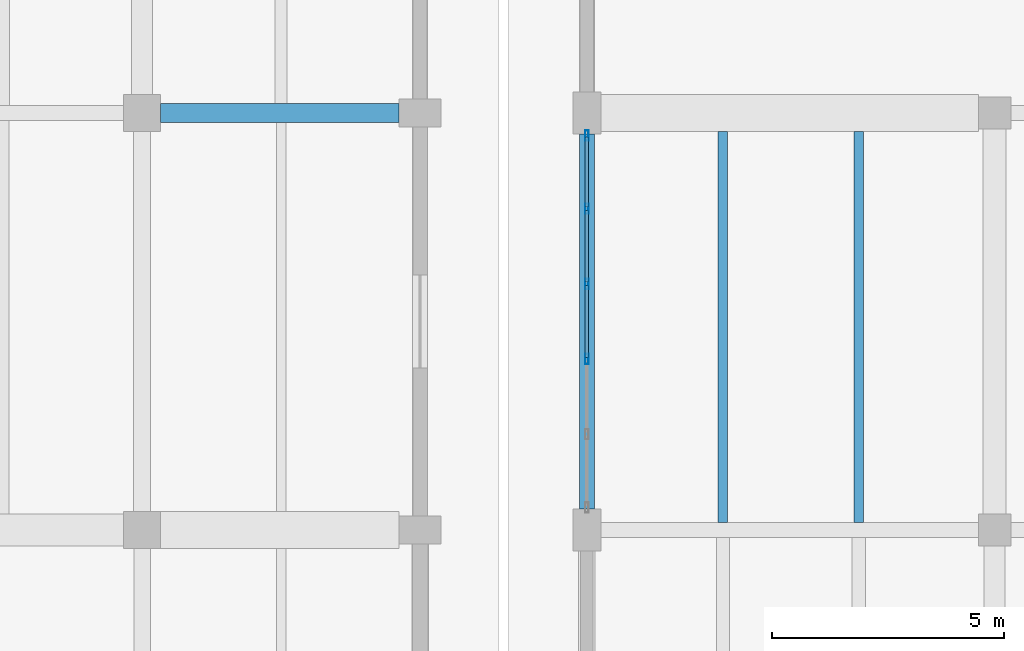
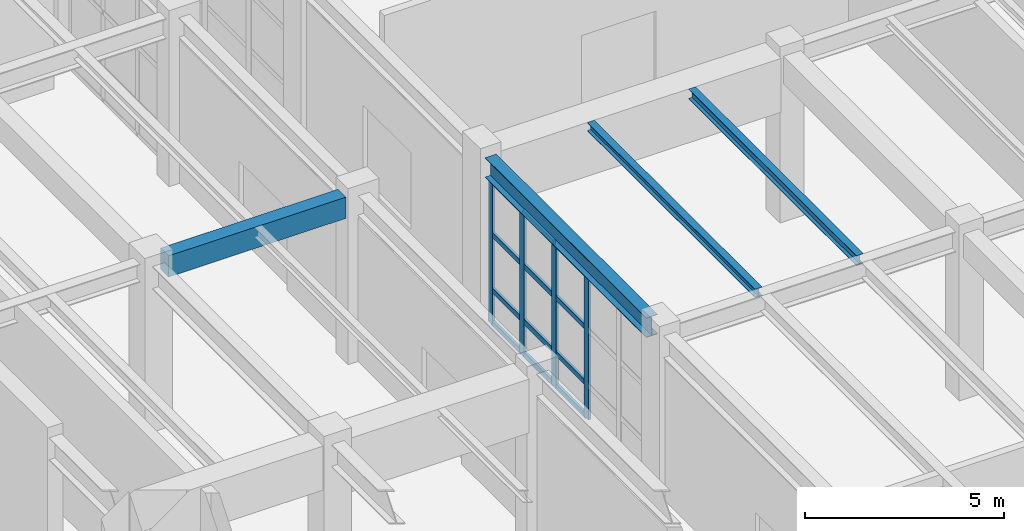
# One storey, part 28 of 91: 16 members, 4 beams, 1 element without a shape of its own.
"""IFC4 building model written with IfcOpenShell, lengths in metres."""

from ifc_helpers import new_model, si_unit, direction, frame, origin, origin_2d, place, context, subcontext, project, spatial, rectangle, hollow_rectangle, i_section, extrude, material, layer, layer_set, material_profile, profile_set, type_object, element, aggregate, save


model = new_model("IFC4")

# Units and contexts
model_context = context("Model", 3, precision=1e-05, world=origin(), true_north=direction((0.0, 1.0)))
body_context = subcontext(model_context, "Body", "Model", "MODEL_VIEW")
ifc_project = project(units=[si_unit("LENGTHUNIT", "METRE"), si_unit("AREAUNIT", "SQUARE_METRE"), si_unit("VOLUMEUNIT", "CUBIC_METRE"), si_unit("PLANEANGLEUNIT", "RADIAN"), si_unit("MASSUNIT", "GRAM", prefix="KILO")], contexts=[model_context])

# Site, building, storey
site_placement = place(None, origin())
site = spatial("IfcSite", under=ifc_project, at=site_placement, CompositionType="ELEMENT")
building_placement = place(site_placement, origin())
building = spatial("IfcBuilding", under=site, at=building_placement, Name="Vaelkrest Opera House", CompositionType="ELEMENT")
storey_placement = place(building_placement, origin())
storey = spatial("IfcBuildingStorey", under=building, at=storey_placement, Name="L00", CompositionType="ELEMENT", Elevation=0.0)

# Beam
ifc_material_1 = material(Name="Concrete C50/60", Category="concrete")
ifc_material_profile_1 = material_profile(ifc_material_1, rectangle(XDim=0.39990234375, YDim=0.64990234375, at=origin_2d()), Name="RCB400X650")
ifc_profile_set_1 = profile_set([ifc_material_profile_1], Name="Concrete C50/60")
beam_type_1 = type_object("IfcBeamType", Name="B01", PredefinedType="BEAM", material=ifc_profile_set_1)
beam_1_placement = place(storey_placement, frame((24.39990234375, 1.199951171875, 4.7548828125), z_axis=(1.0, 0.0, 0.0), x_axis=(0.0, 1.0, 0.0)))
element("IfcBeam", 1, at=beam_1_placement, inside=storey, type_object=beam_type_1, Name="Beam BM-V1-L00-0125", PredefinedType="BEAM", context=body_context, shape_type="SweptSolid", body=[
    extrude(rectangle(XDim=0.39990234375, YDim=0.64990234375, at=origin_2d()), origin(), (0.0, 0.0, 1.0), 5.150146484375),
])

# Curtain wall, members
ifc_material_2 = material(Name="Dark bronze anodized aluminium", Category="aluminium")
ifc_layer = layer(ifc_material_2, 0.199951171875)
ifc_layer_set = layer_set([ifc_layer], Name="Dark bronze anodized aluminium")
curtain_wall_type = type_object("IfcCurtainWallType", Name="CW03", PredefinedType="NOTDEFINED", material=ifc_layer_set)
curtain_wall_placement = place(storey_placement, origin())
curtain_wall = element("IfcCurtainWall", 2, at=curtain_wall_placement, inside=storey, type_object=curtain_wall_type, Name="Curtain wall CW-L00-149", PredefinedType="NOTDEFINED")
ifc_material_profile_2 = material_profile(ifc_material_2, hollow_rectangle(XDim=0.074951171875, YDim=0.219970703125, WallThickness=0.00439453125, at=origin_2d()), Name="CWM75X220")
ifc_profile_set_2 = profile_set([ifc_material_profile_2], Name="Dark bronze anodized aluminium")
member_type_1 = type_object("IfcMemberType", Name="CWM03", PredefinedType="MULLION", material=ifc_profile_set_2)
member_1_placement = place(storey_placement, frame((33.60009765625, -4.1103515625, 0.0), z_axis=(0.0, 0.0, 1.0), x_axis=(-1.0, 0.0, 0.0)))
member_1 = element("IfcMember", 3, at=member_1_placement, type_object=member_type_1, Name="CW03 mullion 3", PredefinedType="MULLION", context=body_context, shape_type="SweptSolid", body=[
    extrude(hollow_rectangle(XDim=0.074951171875, YDim=0.219970703125, WallThickness=0.00439453125, at=origin_2d()), origin(), (0.0, 0.0, 1.0), 4.404052734375),
])
member_2_placement = place(storey_placement, frame((33.60009765625, -2.489501953125, 0.0), z_axis=(0.0, 0.0, 1.0), x_axis=(-1.0, 0.0, 0.0)))
member_2 = element("IfcMember", 4, at=member_2_placement, type_object=member_type_1, Name="CW03 mullion 4", PredefinedType="MULLION", context=body_context, shape_type="SweptSolid", body=[
    extrude(hollow_rectangle(XDim=0.074951171875, YDim=0.219970703125, WallThickness=0.00439453125, at=origin_2d()), origin(), (0.0, 0.0, 1.0), 4.404052734375),
])
member_3_placement = place(storey_placement, frame((33.60009765625, -0.868896484375, 0.0), z_axis=(0.0, 0.0, 1.0), x_axis=(-1.0, 0.0, 0.0)))
member_3 = element("IfcMember", 5, at=member_3_placement, type_object=member_type_1, Name="CW03 mullion 5", PredefinedType="MULLION", context=body_context, shape_type="SweptSolid", body=[
    extrude(hollow_rectangle(XDim=0.074951171875, YDim=0.219970703125, WallThickness=0.00439453125, at=origin_2d()), origin(), (0.0, 0.0, 1.0), 4.404052734375),
])
member_4_placement = place(storey_placement, frame((33.60009765625, 0.714599609375, 0.0), z_axis=(0.0, 0.0, 1.0), x_axis=(-1.0, 0.0, 0.0)))
member_4 = element("IfcMember", 6, at=member_4_placement, type_object=member_type_1, Name="CW03 mullion 6", PredefinedType="MULLION", context=body_context, shape_type="SweptSolid", body=[
    extrude(hollow_rectangle(XDim=0.074951171875, YDim=0.219970703125, WallThickness=0.00439453125, at=origin_2d()), origin(), (0.0, 0.0, 1.0), 4.404052734375),
])
ifc_material_profile_3 = material_profile(ifc_material_2, hollow_rectangle(XDim=0.074951171875, YDim=0.159912109375, WallThickness=0.00439453125, at=origin_2d()), Name="CWT75X160")
ifc_profile_set_3 = profile_set([ifc_material_profile_3], Name="Dark bronze anodized aluminium")
member_type_2 = type_object("IfcMemberType", Name="CWT03", PredefinedType="USERDEFINED", material=ifc_profile_set_3)
member_5_placement = place(storey_placement, frame((33.60009765625, -4.072998046875, 0.03759765625), z_axis=(0.0, 1.0, 0.0), x_axis=(-1.0, 0.0, 0.0)))
member_5 = element("IfcMember", 7, at=member_5_placement, type_object=member_type_2, Name="CW03 transom 3.1", ObjectType="TRANSOM", PredefinedType="USERDEFINED", context=body_context, shape_type="SweptSolid", body=[
    extrude(hollow_rectangle(XDim=0.074951171875, YDim=0.159912109375, WallThickness=0.00439453125, at=origin_2d()), origin(), (0.0, 0.0, 1.0), 1.5458984375),
])
member_6_placement = place(storey_placement, frame((33.60009765625, -4.072998046875, 1.050048828125), z_axis=(0.0, 1.0, 0.0), x_axis=(-1.0, 0.0, 0.0)))
member_6 = element("IfcMember", 8, at=member_6_placement, type_object=member_type_2, Name="CW03 transom 3.2", ObjectType="TRANSOM", PredefinedType="USERDEFINED", context=body_context, shape_type="SweptSolid", body=[
    extrude(hollow_rectangle(XDim=0.074951171875, YDim=0.159912109375, WallThickness=0.00439453125, at=origin_2d()), origin(), (0.0, 0.0, 1.0), 1.5458984375),
])
member_7_placement = place(storey_placement, frame((33.60009765625, -4.072998046875, 2.75), z_axis=(0.0, 1.0, 0.0), x_axis=(-1.0, 0.0, 0.0)))
member_7 = element("IfcMember", 9, at=member_7_placement, type_object=member_type_2, Name="CW03 transom 3.3", ObjectType="TRANSOM", PredefinedType="USERDEFINED", context=body_context, shape_type="SweptSolid", body=[
    extrude(hollow_rectangle(XDim=0.074951171875, YDim=0.159912109375, WallThickness=0.00439453125, at=origin_2d()), origin(), (0.0, 0.0, 1.0), 1.5458984375),
])
member_8_placement = place(storey_placement, frame((33.60009765625, -4.072998046875, 4.366455078125), z_axis=(0.0, 1.0, 0.0), x_axis=(-1.0, 0.0, 0.0)))
member_8 = element("IfcMember", 10, at=member_8_placement, type_object=member_type_2, Name="CW03 transom 3.4", ObjectType="TRANSOM", PredefinedType="USERDEFINED", context=body_context, shape_type="SweptSolid", body=[
    extrude(hollow_rectangle(XDim=0.074951171875, YDim=0.159912109375, WallThickness=0.00439453125, at=origin_2d()), origin(), (0.0, 0.0, 1.0), 1.5458984375),
])
member_9_placement = place(storey_placement, frame((33.60009765625, -2.4521484375, 0.03759765625), z_axis=(0.0, 1.0, 0.0), x_axis=(-1.0, 0.0, 0.0)))
member_9 = element("IfcMember", 11, at=member_9_placement, type_object=member_type_2, Name="CW03 transom 4.1", ObjectType="TRANSOM", PredefinedType="USERDEFINED", context=body_context, shape_type="SweptSolid", body=[
    extrude(hollow_rectangle(XDim=0.074951171875, YDim=0.159912109375, WallThickness=0.00439453125, at=origin_2d()), origin(), (0.0, 0.0, 1.0), 1.5458984375),
])
member_10_placement = place(storey_placement, frame((33.60009765625, -2.4521484375, 1.050048828125), z_axis=(0.0, 1.0, 0.0), x_axis=(-1.0, 0.0, 0.0)))
member_10 = element("IfcMember", 12, at=member_10_placement, type_object=member_type_2, Name="CW03 transom 4.2", ObjectType="TRANSOM", PredefinedType="USERDEFINED", context=body_context, shape_type="SweptSolid", body=[
    extrude(hollow_rectangle(XDim=0.074951171875, YDim=0.159912109375, WallThickness=0.00439453125, at=origin_2d()), origin(), (0.0, 0.0, 1.0), 1.5458984375),
])
member_11_placement = place(storey_placement, frame((33.60009765625, -2.4521484375, 2.75), z_axis=(0.0, 1.0, 0.0), x_axis=(-1.0, 0.0, 0.0)))
member_11 = element("IfcMember", 13, at=member_11_placement, type_object=member_type_2, Name="CW03 transom 4.3", ObjectType="TRANSOM", PredefinedType="USERDEFINED", context=body_context, shape_type="SweptSolid", body=[
    extrude(hollow_rectangle(XDim=0.074951171875, YDim=0.159912109375, WallThickness=0.00439453125, at=origin_2d()), origin(), (0.0, 0.0, 1.0), 1.5458984375),
])
member_12_placement = place(storey_placement, frame((33.60009765625, -2.4521484375, 4.366455078125), z_axis=(0.0, 1.0, 0.0), x_axis=(-1.0, 0.0, 0.0)))
member_12 = element("IfcMember", 14, at=member_12_placement, type_object=member_type_2, Name="CW03 transom 4.4", ObjectType="TRANSOM", PredefinedType="USERDEFINED", context=body_context, shape_type="SweptSolid", body=[
    extrude(hollow_rectangle(XDim=0.074951171875, YDim=0.159912109375, WallThickness=0.00439453125, at=origin_2d()), origin(), (0.0, 0.0, 1.0), 1.5458984375),
])
member_13_placement = place(storey_placement, frame((33.60009765625, -0.831298828125, 0.03759765625), z_axis=(0.0, 1.0, 0.0), x_axis=(-1.0, 0.0, 0.0)))
member_13 = element("IfcMember", 15, at=member_13_placement, type_object=member_type_2, Name="CW03 transom 5.1", ObjectType="TRANSOM", PredefinedType="USERDEFINED", context=body_context, shape_type="SweptSolid", body=[
    extrude(hollow_rectangle(XDim=0.074951171875, YDim=0.159912109375, WallThickness=0.00439453125, at=origin_2d()), origin(), (0.0, 0.0, 1.0), 1.50830078125),
])
member_14_placement = place(storey_placement, frame((33.60009765625, -0.831298828125, 1.050048828125), z_axis=(0.0, 1.0, 0.0), x_axis=(-1.0, 0.0, 0.0)))
member_14 = element("IfcMember", 16, at=member_14_placement, type_object=member_type_2, Name="CW03 transom 5.2", ObjectType="TRANSOM", PredefinedType="USERDEFINED", context=body_context, shape_type="SweptSolid", body=[
    extrude(hollow_rectangle(XDim=0.074951171875, YDim=0.159912109375, WallThickness=0.00439453125, at=origin_2d()), origin(), (0.0, 0.0, 1.0), 1.50830078125),
])
member_15_placement = place(storey_placement, frame((33.60009765625, -0.831298828125, 2.75), z_axis=(0.0, 1.0, 0.0), x_axis=(-1.0, 0.0, 0.0)))
member_15 = element("IfcMember", 17, at=member_15_placement, type_object=member_type_2, Name="CW03 transom 5.3", ObjectType="TRANSOM", PredefinedType="USERDEFINED", context=body_context, shape_type="SweptSolid", body=[
    extrude(hollow_rectangle(XDim=0.074951171875, YDim=0.159912109375, WallThickness=0.00439453125, at=origin_2d()), origin(), (0.0, 0.0, 1.0), 1.50830078125),
])
member_16_placement = place(storey_placement, frame((33.60009765625, -0.831298828125, 4.366455078125), z_axis=(0.0, 1.0, 0.0), x_axis=(-1.0, 0.0, 0.0)))
member_16 = element("IfcMember", 18, at=member_16_placement, type_object=member_type_2, Name="CW03 transom 5.4", ObjectType="TRANSOM", PredefinedType="USERDEFINED", context=body_context, shape_type="SweptSolid", body=[
    extrude(hollow_rectangle(XDim=0.074951171875, YDim=0.159912109375, WallThickness=0.00439453125, at=origin_2d()), origin(), (0.0, 0.0, 1.0), 1.50830078125),
])
aggregate(curtain_wall, [member_1, member_2, member_3, member_4, member_5, member_6, member_7, member_8, member_9, member_10, member_11, member_12, member_13, member_14, member_15, member_16])

# Beams
ifc_material_3 = material(Name="Steel A992 Gr50", Category="steel")
ifc_material_profile_4 = material_profile(ifc_material_3, i_section(OverallWidth=0.2041015625, OverallDepth=0.257080078125, WebThickness=0.0087890625, FlangeThickness=0.015625, at=origin_2d()), Name="W10X45")
ifc_profile_set_4 = profile_set([ifc_material_profile_4], Name="Steel A992 Gr50")
beam_type_2 = type_object("IfcBeamType", Name="J01", PredefinedType="JOIST", material=ifc_profile_set_4)
beam_2_placement = place(storey_placement, frame((36.532958984375, -7.635986328125, 4.951416015625), z_axis=(0.0, 1.0, 0.0), x_axis=(-1.0, 0.0, 0.0)))
element("IfcBeam", 19, at=beam_2_placement, inside=storey, type_object=beam_type_2, Name="Floor joist JST-V4-L00-2051", PredefinedType="JOIST", context=body_context, shape_type="SweptSolid", body=[
    extrude(i_section(OverallWidth=0.2041015625, OverallDepth=0.257080078125, WebThickness=0.0087890625, FlangeThickness=0.015625, at=origin_2d()), origin(), (0.0, 0.0, 1.0), 8.43603515625),
])
ifc_material_profile_5 = material_profile(ifc_material_3, i_section(OverallWidth=0.202880859375, OverallDepth=0.302978515625, WebThickness=0.007568359375, FlangeThickness=0.01318359375, at=origin_2d()), Name="W12X40")
ifc_profile_set_5 = profile_set([ifc_material_profile_5], Name="Steel A992 Gr50")
beam_type_3 = type_object("IfcBeamType", Name="J02", PredefinedType="JOIST", material=ifc_profile_set_5)
beam_3_placement = place(storey_placement, frame((39.467041015625, -7.635986328125, 4.928466796875), z_axis=(0.0, 1.0, 0.0), x_axis=(-1.0, 0.0, 0.0)))
element("IfcBeam", 20, at=beam_3_placement, inside=storey, type_object=beam_type_3, Name="Floor joist JST-V4-L00-2052", PredefinedType="JOIST", context=body_context, shape_type="SweptSolid", body=[
    extrude(i_section(OverallWidth=0.202880859375, OverallDepth=0.302978515625, WebThickness=0.007568359375, FlangeThickness=0.01318359375, at=origin_2d()), origin(), (0.0, 0.0, 1.0), 8.43603515625),
])
ifc_material_profile_6 = material_profile(ifc_material_3, i_section(OverallWidth=0.323974609375, OverallDepth=0.611083984375, WebThickness=0.0126953125, FlangeThickness=0.01904296875, at=origin_2d()), Name="W24X104")
ifc_profile_set_6 = profile_set([ifc_material_profile_6], Name="Steel A992 Gr50")
beam_type_4 = type_object("IfcBeamType", Name="SP01", PredefinedType="SPANDREL", material=ifc_profile_set_6)
beam_4_placement = place(storey_placement, frame((33.60009765625, -7.35009765625, 4.7744140625), z_axis=(0.0, 1.0, 0.0), x_axis=(-1.0, 0.0, 0.0)))
element("IfcBeam", 21, at=beam_4_placement, inside=storey, type_object=beam_type_4, Name="Beam BM-V4-L00-1996", PredefinedType="SPANDREL", context=body_context, shape_type="SweptSolid", body=[
    extrude(i_section(OverallWidth=0.323974609375, OverallDepth=0.611083984375, WebThickness=0.0126953125, FlangeThickness=0.01904296875, at=origin_2d()), origin(), (0.0, 0.0, 1.0), 8.10009765625),
])

save(model, "model.ifc")
